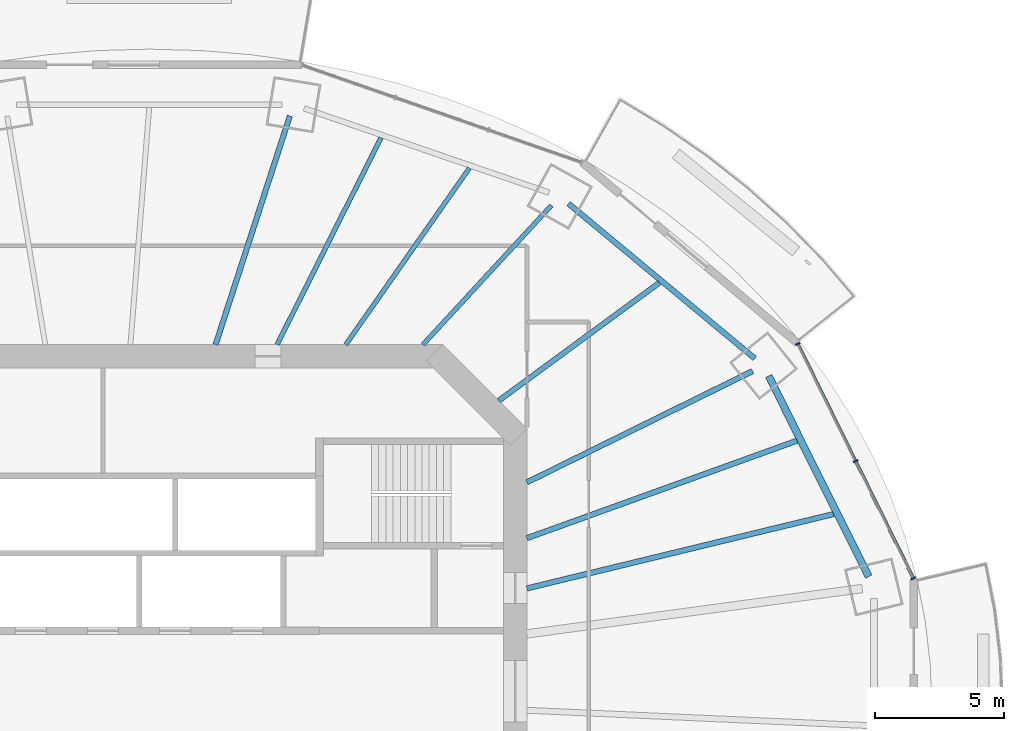
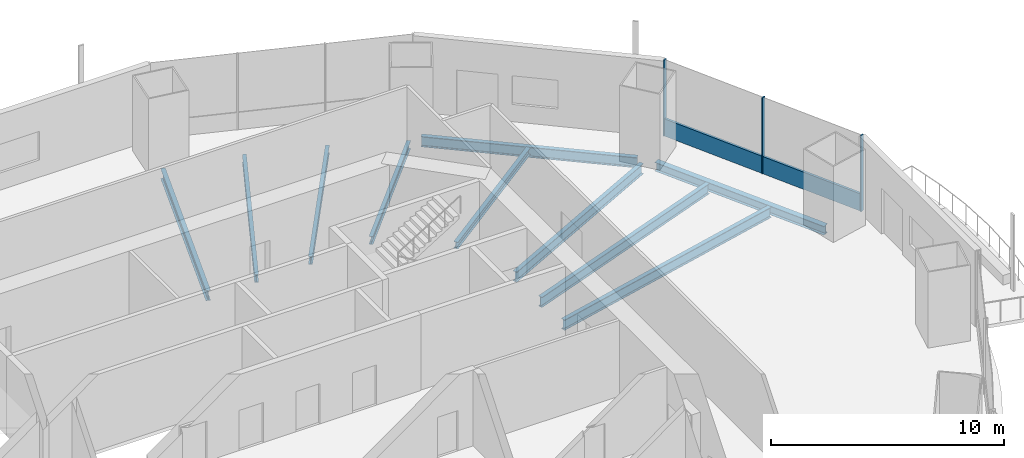
# One storey, part 7 of 19: 10 beams, 4 members, 1 element without a shape of its own.
"""IFC4 building model written with IfcOpenShell, lengths in metres."""

from ifc_helpers import new_model, si_unit, direction, frame, origin, origin_2d, place, context, subcontext, project, spatial, rectangle, i_section, extrude, material, material_profile, profile_set, type_object, element, aggregate, save


model = new_model("IFC4")

# Units and contexts
model_context = context("Model", 3, precision=1e-05, world=origin(), true_north=direction((0.0, 1.0)))
body_context = subcontext(model_context, "Body", "Model", "MODEL_VIEW")
ifc_project = project(units=[si_unit("LENGTHUNIT", "METRE"), si_unit("AREAUNIT", "SQUARE_METRE"), si_unit("VOLUMEUNIT", "CUBIC_METRE"), si_unit("PLANEANGLEUNIT", "RADIAN"), si_unit("MASSUNIT", "GRAM", prefix="KILO")], contexts=[model_context])

# Site, building, storey
site_placement = place(None, origin())
site = spatial("IfcSite", under=ifc_project, at=site_placement, CompositionType="ELEMENT")
building_placement = place(site_placement, origin())
building = spatial("IfcBuilding", under=site, at=building_placement, Name="Marenthal Gate Tower", CompositionType="ELEMENT")
storey_placement = place(building_placement, frame((0.0, 0.0, 239.89990234375)))
storey = spatial("IfcBuildingStorey", under=building, at=storey_placement, Name="L53", CompositionType="ELEMENT", Elevation=239.89990234375)

# Curtain wall, members
ifc_material_1 = material(Name="Aluminium and glass", Category="aluminium")
curtain_wall_type = type_object("IfcCurtainWallType", Name="Curtain wall typical mid", PredefinedType="NOTDEFINED", material=ifc_material_1)
curtain_wall_placement = place(storey_placement, origin())
curtain_wall = element("IfcCurtainWall", 1, at=curtain_wall_placement, inside=storey, type_object=curtain_wall_type, Name="Curtain wall L53 bay 1", PredefinedType="NOTDEFINED")
ifc_material_2 = material(Name="Aluminium", Category="aluminium")
ifc_material_profile_1 = material_profile(ifc_material_2, rectangle(XDim=0.179931640625, YDim=0.06005859375, at=origin_2d()), Name="60x180 aluminium mullion")
ifc_profile_set_1 = profile_set([ifc_material_profile_1], Name="Aluminium")
member_type_1 = type_object("IfcMemberType", Name="Mullion 60x180 typical mid", PredefinedType="MULLION", material=ifc_profile_set_1)
member_1_placement = place(storey_placement, frame((31.45068359375, 4.382080078125, 0.0), z_axis=(0.0, 0.0, 1.0), x_axis=(-0.896835471663, -0.442364258013, 0.0)))
member_1 = element("IfcMember", 2, at=member_1_placement, type_object=member_type_1, Name="Mullion L53 bay 1.1", PredefinedType="MULLION", context=body_context, shape_type="SweptSolid", body=[
    extrude(rectangle(XDim=0.179931640625, YDim=0.06005859375, at=origin_2d()), origin(), (0.0, 0.0, 1.0), 3.97021484375),
])
member_2_placement = place(storey_placement, frame((29.205810546875, 8.93310546875, 0.0), z_axis=(0.0, 0.0, 1.0), x_axis=(-0.896835471663, -0.442364258013, 0.0)))
member_2 = element("IfcMember", 3, at=member_2_placement, type_object=member_type_1, Name="Mullion L53 bay 1.2", PredefinedType="MULLION", context=body_context, shape_type="SweptSolid", body=[
    extrude(rectangle(XDim=0.179931640625, YDim=0.06005859375, at=origin_2d()), origin(), (0.0, 0.0, 1.0), 3.97021484375),
])
member_3_placement = place(storey_placement, frame((26.961181640625, 13.48388671875, 0.0), z_axis=(0.0, 0.0, 1.0), x_axis=(-0.896835471663, -0.442364258013, 0.0)))
member_3 = element("IfcMember", 4, at=member_3_placement, type_object=member_type_1, Name="Mullion L53 bay 1.3", PredefinedType="MULLION", context=body_context, shape_type="SweptSolid", body=[
    extrude(rectangle(XDim=0.179931640625, YDim=0.06005859375, at=origin_2d()), origin(), (0.0, 0.0, 1.0), 3.97021484375),
])
ifc_material_3 = material(Name="Aluminium", Category="aluminium")
ifc_material_profile_2 = material_profile(ifc_material_3, rectangle(XDim=0.1201171875, YDim=0.89990234375, at=origin_2d()), Name="120x900 aluminium transom")
ifc_profile_set_2 = profile_set([ifc_material_profile_2], Name="Aluminium")
member_type_2 = type_object("IfcMemberType", Name="Transom 120x900 typical mid", PredefinedType="USERDEFINED", material=ifc_profile_set_2)
member_4_placement = place(storey_placement, frame((31.437255859375, 4.408935546875, 0.4501953125), z_axis=(-0.442357544454, 0.896838783096, 0.0), x_axis=(-0.896838783096, -0.442357544454, 0.0)))
member_4 = element("IfcMember", 5, at=member_4_placement, type_object=member_type_2, Name="Transom L53 bay 1", ObjectType="TRANSOM", PredefinedType="USERDEFINED", context=body_context, shape_type="SweptSolid", body=[
    extrude(rectangle(XDim=0.1201171875, YDim=0.89990234375, at=origin_2d()), origin(), (0.0, 0.0, 1.0), 10.0888671875),
])
aggregate(curtain_wall, [member_1, member_2, member_3, member_4])

# Beams
ifc_material_4 = material(Name="Steel S355", Category="steel")
ifc_material_profile_3 = material_profile(ifc_material_4, i_section(OverallWidth=0.205078125, OverallDepth=0.35302734375, WebThickness=0.009521484375, FlangeThickness=0.016845703125, FilletRadius=0.014892578125, at=origin_2d()), Name="W360X79")
ifc_profile_set_3 = profile_set([ifc_material_profile_3], Name="Steel S355")
beam_type_1 = type_object("IfcBeamType", Name="W360X79 beam", PredefinedType="BEAM", material=ifc_profile_set_3)
beam_1_placement = place(storey_placement, frame((21.591796875, 15.854248046875, -0.3564453125), z_axis=(-0.806043496399, -0.591856301743, 0.0), x_axis=(0.591856301743, -0.806043496399, 0.0)))
element("IfcBeam", 6, at=beam_1_placement, inside=storey, type_object=beam_type_1, Name="BM-L53-19", PredefinedType="BEAM", context=body_context, shape_type="SweptSolid", body=[
    extrude(i_section(OverallWidth=0.205078125, OverallDepth=0.35302734375, WebThickness=0.009521484375, FlangeThickness=0.016845703125, FilletRadius=0.014892578125, at=origin_2d()), origin(), (0.0, 0.0, 1.0), 7.732666015625),
])
ifc_material_5 = material(Name="Steel S355", Category="steel")
ifc_material_profile_4 = material_profile(ifc_material_5, i_section(OverallWidth=0.180908203125, OverallDepth=0.4169921875, WebThickness=0.010986328125, FlangeThickness=0.018310546875, FilletRadius=0.01025390625, at=origin_2d()), Name="W410X85")
ifc_profile_set_4 = profile_set([ifc_material_profile_4], Name="Steel S355")
beam_type_2 = type_object("IfcBeamType", Name="W410X85 beam", PredefinedType="BEAM", material=ifc_profile_set_4)
beam_2_placement = place(storey_placement, frame((17.4013671875, 18.853759765625, -0.388427734375), z_axis=(-0.678237355603, -0.734842901214, 0.0), x_axis=(0.734842901214, -0.678237355603, 0.0)))
element("IfcBeam", 7, at=beam_2_placement, inside=storey, type_object=beam_type_2, Name="BM-L53-03", PredefinedType="BEAM", context=body_context, shape_type="SweptSolid", body=[
    extrude(i_section(OverallWidth=0.180908203125, OverallDepth=0.4169921875, WebThickness=0.010986328125, FlangeThickness=0.018310546875, FilletRadius=0.01025390625, at=origin_2d()), origin(), (0.0, 0.0, 1.0), 7.353759765625),
])
beam_3_placement = place(storey_placement, frame((14.2177734375, 20.300048828125, -0.388427734375), z_axis=(-0.573666087874, -0.819089262305, 0.0), x_axis=(0.819089262305, -0.573666087874, 0.0)))
element("IfcBeam", 8, at=beam_3_placement, inside=storey, type_object=beam_type_2, Name="BM-L53-20", PredefinedType="BEAM", context=body_context, shape_type="SweptSolid", body=[
    extrude(i_section(OverallWidth=0.180908203125, OverallDepth=0.4169921875, WebThickness=0.010986328125, FlangeThickness=0.018310546875, FilletRadius=0.01025390625, at=origin_2d()), origin(), (0.0, 0.0, 1.0), 8.363037109375),
])
beam_4_placement = place(storey_placement, frame((10.788818359375, 21.480224609375, -0.388427734375), z_axis=(-0.448842934274, -0.89361066486, 0.0), x_axis=(0.89361066486, -0.448842934274, 0.0)))
element("IfcBeam", 9, at=beam_4_placement, inside=storey, type_object=beam_type_2, Name="BM-L53-21", PredefinedType="BEAM", context=body_context, shape_type="SweptSolid", body=[
    extrude(i_section(OverallWidth=0.180908203125, OverallDepth=0.4169921875, WebThickness=0.010986328125, FlangeThickness=0.018310546875, FilletRadius=0.01025390625, at=origin_2d()), origin(), (0.0, 0.0, 1.0), 8.986328125),
])
ifc_material_6 = material(Name="Steel S355", Category="steel")
ifc_material_profile_5 = material_profile(ifc_material_6, i_section(OverallWidth=0.279052734375, OverallDepth=0.4619140625, WebThickness=0.0107421875, FlangeThickness=0.017333984375, FilletRadius=0.010009765625, at=origin_2d()), Name="W460X113")
ifc_profile_set_5 = profile_set([ifc_material_profile_5], Name="Steel S355")
beam_type_3 = type_object("IfcBeamType", Name="W460X113 beam", PredefinedType="BEAM", material=ifc_profile_set_5)
beam_5_placement = place(storey_placement, frame((29.713623046875, 4.44921875, -0.410888671875), z_axis=(-0.446112921938, 0.894976681752, 0.0), x_axis=(-0.894976681752, -0.446112921938, 0.0)))
element("IfcBeam", 10, at=beam_5_placement, inside=storey, type_object=beam_type_3, Name="BM-L53-41", PredefinedType="BEAM", context=body_context, shape_type="SweptSolid", body=[
    extrude(i_section(OverallWidth=0.279052734375, OverallDepth=0.4619140625, WebThickness=0.0107421875, FlangeThickness=0.017333984375, FilletRadius=0.010009765625, at=origin_2d()), origin(), (0.0, 0.0, 1.0), 8.69775390625),
])
ifc_material_7 = material(Name="Steel S355", Category="steel")
ifc_material_profile_6 = material_profile(ifc_material_7, i_section(OverallWidth=0.2099609375, OverallDepth=0.535888671875, WebThickness=0.010986328125, FlangeThickness=0.017333984375, FilletRadius=0.0126953125, at=origin_2d()), Name="W530X101")
ifc_profile_set_6 = profile_set([ifc_material_profile_6], Name="Steel S355")
beam_type_4 = type_object("IfcBeamType", Name="W530X101 beam", PredefinedType="BEAM", material=ifc_profile_set_6)
beam_6_placement = place(storey_placement, frame((25.20947265625, 12.423828125, -0.447998046875), z_axis=(-0.896987399535, -0.442056110777, 0.0), x_axis=(0.442056110777, -0.896987399535, 0.0)))
element("IfcBeam", 11, at=beam_6_placement, inside=storey, type_object=beam_type_4, Name="BM-L53-02", PredefinedType="BEAM", context=body_context, shape_type="SweptSolid", body=[
    extrude(i_section(OverallWidth=0.2099609375, OverallDepth=0.535888671875, WebThickness=0.010986328125, FlangeThickness=0.017333984375, FilletRadius=0.0126953125, at=origin_2d()), origin(), (0.0, 0.0, 1.0), 9.765380859375),
])
beam_7_placement = place(storey_placement, frame((7.25, 22.322998046875, -0.447998046875), z_axis=(-0.308901447046, -0.951094052138, 0.0), x_axis=(0.951094052138, -0.308901447046, 0.0)))
element("IfcBeam", 12, at=beam_7_placement, inside=storey, type_object=beam_type_4, Name="BM-L53-04", PredefinedType="BEAM", context=body_context, shape_type="SweptSolid", body=[
    extrude(i_section(OverallWidth=0.2099609375, OverallDepth=0.535888671875, WebThickness=0.010986328125, FlangeThickness=0.017333984375, FilletRadius=0.0126953125, at=origin_2d()), origin(), (0.0, 0.0, 1.0), 9.329345703125),
])
beam_8_placement = place(storey_placement, frame((26.9287109375, 9.723388671875, -0.447998046875), z_axis=(-0.940562649945, -0.339620231329, 0.0), x_axis=(0.339620231329, -0.940562649945, 0.0)))
element("IfcBeam", 13, at=beam_8_placement, inside=storey, type_object=beam_type_4, Name="BM-L53-18", PredefinedType="BEAM", context=body_context, shape_type="SweptSolid", body=[
    extrude(i_section(OverallWidth=0.2099609375, OverallDepth=0.535888671875, WebThickness=0.010986328125, FlangeThickness=0.017333984375, FilletRadius=0.0126953125, at=origin_2d()), origin(), (0.0, 0.0, 1.0), 11.140869140625),
])
ifc_material_8 = material(Name="Steel S355", Category="steel")
ifc_material_profile_7 = material_profile(ifc_material_8, i_section(OverallWidth=0.2119140625, OverallDepth=0.5439453125, WebThickness=0.01318359375, FlangeThickness=0.021240234375, FilletRadius=0.0126953125, at=origin_2d()), Name="W530X123")
ifc_profile_set_7 = profile_set([ifc_material_profile_7], Name="Steel S355")
beam_type_5 = type_object("IfcBeamType", Name="W530X123 beam", PredefinedType="BEAM", material=ifc_profile_set_7)
beam_9_placement = place(storey_placement, frame((28.348388671875, 6.875244140625, -0.451904296875), z_axis=(-0.97182630342, -0.235698188329, 0.0), x_axis=(0.235698188329, -0.97182630342, 0.0)))
element("IfcBeam", 14, at=beam_9_placement, inside=storey, type_object=beam_type_5, Name="BM-L53-17", PredefinedType="BEAM", context=body_context, shape_type="SweptSolid", body=[
    extrude(i_section(OverallWidth=0.2119140625, OverallDepth=0.5439453125, WebThickness=0.01318359375, FlangeThickness=0.021240234375, FilletRadius=0.0126953125, at=origin_2d()), origin(), (0.0, 0.0, 1.0), 12.243408203125),
])
beam_10_placement = place(storey_placement, frame((25.292724609375, 12.916748046875, -0.451904296875), z_axis=(-0.769136149311, 0.63908495822, 0.0), x_axis=(-0.63908495822, -0.769136149311, 0.0)))
element("IfcBeam", 15, at=beam_10_placement, inside=storey, type_object=beam_type_5, Name="BM-L53-42", PredefinedType="BEAM", context=body_context, shape_type="SweptSolid", body=[
    extrude(i_section(OverallWidth=0.2119140625, OverallDepth=0.5439453125, WebThickness=0.01318359375, FlangeThickness=0.021240234375, FilletRadius=0.0126953125, at=origin_2d()), origin(), (0.0, 0.0, 1.0), 9.397705078125),
])

save(model, "model.ifc")
